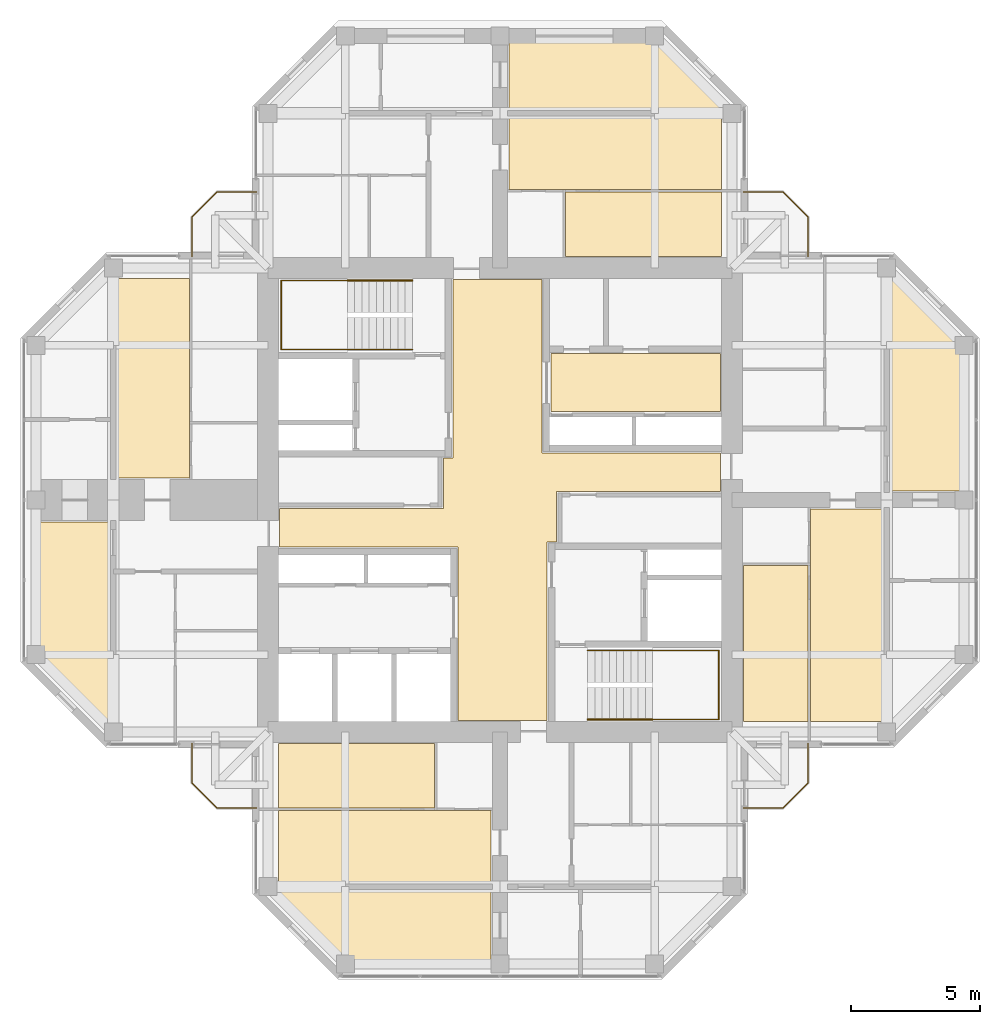
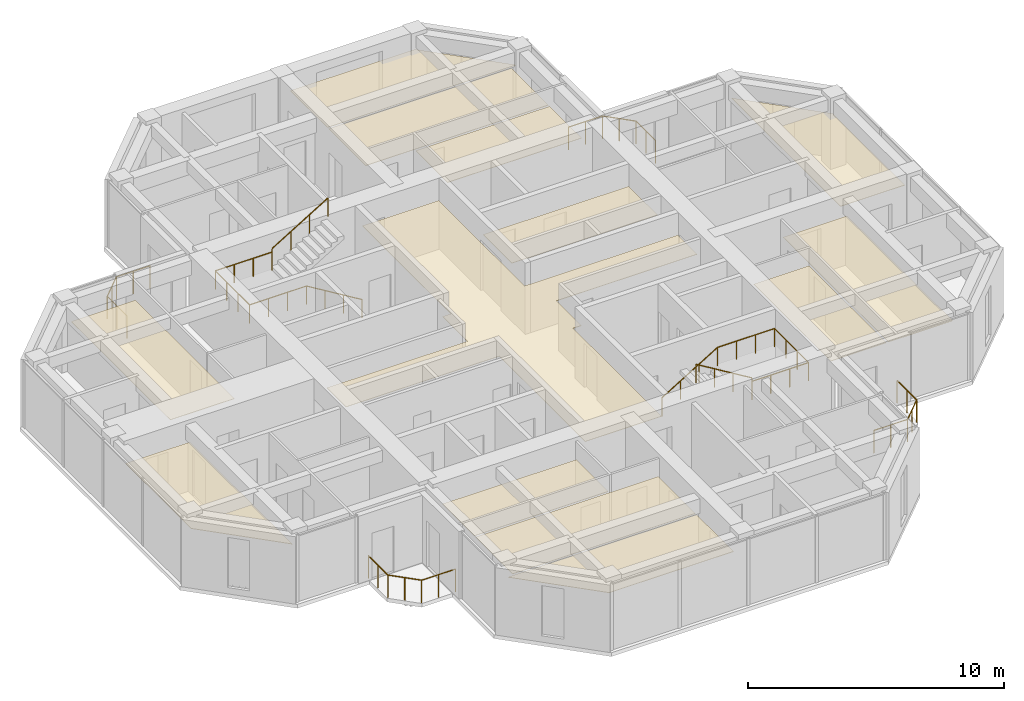
# One storey, part 13 of 13: 13 coverings, 8 railings.
"""IFC4 building model written with IfcOpenShell, lengths in metres."""

from ifc_helpers import new_model, si_unit, direction, frame, origin, origin_2d, place, context, subcontext, project, spatial, polyline, circle, outline, extrude, material, layer, layer_set, constituent, constituent_set, type_object, element, save


model = new_model("IFC4")

# Units and contexts
model_context = context("Model", 3, precision=1e-05, world=origin(), true_north=direction((0.0, 1.0)))
body_context = subcontext(model_context, "Body", "Model", "MODEL_VIEW")
ifc_project = project(units=[si_unit("LENGTHUNIT", "METRE"), si_unit("AREAUNIT", "SQUARE_METRE"), si_unit("VOLUMEUNIT", "CUBIC_METRE"), si_unit("PLANEANGLEUNIT", "RADIAN"), si_unit("MASSUNIT", "GRAM", prefix="KILO")], contexts=[model_context])

# Site, building, storey
site_placement = place(None, origin())
site = spatial("IfcSite", under=ifc_project, at=site_placement, CompositionType="ELEMENT")
building_placement = place(site_placement, origin())
building = spatial("IfcBuilding", under=site, at=building_placement, Name="Torre Cruceta", CompositionType="ELEMENT")
storey_placement = place(building_placement, frame((0.0, 0.0, 261.10009765625)))
storey = spatial("IfcBuildingStorey", under=building, at=storey_placement, Name="L67", CompositionType="ELEMENT", Elevation=261.10009765625)

# Railings
ifc_material_1 = material(Name="Stainless steel 1.4401", Category="steel")
ifc_constituent_1 = constituent(ifc_material_1, Name="Frame")
ifc_material_2 = material(Name="Laminated safety glass", Category="glass")
ifc_constituent_2 = constituent(ifc_material_2, Name="Infill")
ifc_constituent_set = constituent_set(constituents=[ifc_constituent_1, ifc_constituent_2], Name="Stainless steel and laminated glass balustrade")
railing_type_1 = type_object("IfcRailingType", Name="BALCONY BALUSTRADE 1100", PredefinedType="BALUSTRADE", material=ifc_constituent_set)
railing_1_placement = place(storey_placement, frame((-9.449951171875, 11.949951171875, 0.0)))
element("IfcRailing", 1, at=railing_1_placement, inside=storey, type_object=railing_type_1, Name="BL1 balcony balustrade L67 N", PredefinedType="BALUSTRADE", context=body_context, shape_type="SweptSolid", body=[
    extrude(circle(Radius=0.02392578125, at=origin_2d()), frame((0.0, 0.0, 1.076171875), z_axis=(-1.0, 0.0, 0.0), x_axis=(0.0, -1.0, 0.0)), (0.0, 0.0, 1.0), 1.529296875),
    extrude(circle(Radius=0.02392578125, at=origin_2d()), frame((-1.529296875, 0.0, 1.076171875), z_axis=(-0.707106781187, -0.707106781187, 0.0), x_axis=(0.707106781187, -0.707106781187, 0.0)), (0.0, 0.0, 1.0), 1.372802734375),
    extrude(circle(Radius=0.02392578125, at=origin_2d()), frame((-2.5, -0.970703125, 1.076171875), z_axis=(0.0, -1.0, 0.0), x_axis=(1.0, 0.0, 0.0)), (0.0, 0.0, 1.0), 1.529296875),
    extrude(circle(Radius=0.02099609375, at=origin_2d()), origin(), (0.0, 0.0, 1.0), 1.052001953125),
    extrude(circle(Radius=0.02099609375, at=origin_2d()), frame((-0.7646484375, 0.0, 0.0)), (0.0, 0.0, 1.0), 1.052001953125),
    extrude(circle(Radius=0.02099609375, at=origin_2d()), frame((-1.529296875, 0.0, 0.0)), (0.0, 0.0, 1.0), 1.052001953125),
    extrude(circle(Radius=0.02099609375, at=origin_2d()), frame((-2.0146484375, -0.4853515625, 0.0)), (0.0, 0.0, 1.0), 1.052001953125),
    extrude(circle(Radius=0.02099609375, at=origin_2d()), frame((-2.5, -0.970703125, 0.0)), (0.0, 0.0, 1.0), 1.052001953125),
    extrude(circle(Radius=0.02099609375, at=origin_2d()), frame((-2.5, -1.7353515625, 0.0)), (0.0, 0.0, 1.0), 1.052001953125),
    extrude(circle(Radius=0.02099609375, at=origin_2d()), frame((-2.5, -2.5, 0.0)), (0.0, 0.0, 1.0), 1.052001953125),
])
railing_2_placement = place(storey_placement, frame((9.449951171875, 11.949951171875, 0.0)))
element("IfcRailing", 2, at=railing_2_placement, inside=storey, type_object=railing_type_1, Name="BL1 balcony balustrade L67 E", PredefinedType="BALUSTRADE", context=body_context, shape_type="SweptSolid", body=[
    extrude(circle(Radius=0.02392578125, at=origin_2d()), frame((0.0, 0.0, 1.076171875), z_axis=(1.0, 0.0, 0.0), x_axis=(0.0, 1.0, 0.0)), (0.0, 0.0, 1.0), 1.529296875),
    extrude(circle(Radius=0.02392578125, at=origin_2d()), frame((1.529296875, 0.0, 1.076171875), z_axis=(0.707106781187, -0.707106781187, 0.0), x_axis=(0.707106781187, 0.707106781187, 0.0)), (0.0, 0.0, 1.0), 1.372802734375),
    extrude(circle(Radius=0.02392578125, at=origin_2d()), frame((2.5, -0.970703125, 1.076171875), z_axis=(0.0, -1.0, 0.0), x_axis=(1.0, 0.0, 0.0)), (0.0, 0.0, 1.0), 1.529296875),
    extrude(circle(Radius=0.02099609375, at=origin_2d()), origin(), (0.0, 0.0, 1.0), 1.052001953125),
    extrude(circle(Radius=0.02099609375, at=origin_2d()), frame((0.7646484375, 0.0, 0.0)), (0.0, 0.0, 1.0), 1.052001953125),
    extrude(circle(Radius=0.02099609375, at=origin_2d()), frame((1.529296875, 0.0, 0.0)), (0.0, 0.0, 1.0), 1.052001953125),
    extrude(circle(Radius=0.02099609375, at=origin_2d()), frame((2.0146484375, -0.4853515625, 0.0)), (0.0, 0.0, 1.0), 1.052001953125),
    extrude(circle(Radius=0.02099609375, at=origin_2d()), frame((2.5, -0.970703125, 0.0)), (0.0, 0.0, 1.0), 1.052001953125),
    extrude(circle(Radius=0.02099609375, at=origin_2d()), frame((2.5, -1.7353515625, 0.0)), (0.0, 0.0, 1.0), 1.052001953125),
    extrude(circle(Radius=0.02099609375, at=origin_2d()), frame((2.5, -2.5, 0.0)), (0.0, 0.0, 1.0), 1.052001953125),
])
railing_3_placement = place(storey_placement, frame((9.449951171875, -11.949951171875, 0.0)))
element("IfcRailing", 3, at=railing_3_placement, inside=storey, type_object=railing_type_1, Name="BL1 balcony balustrade L67 S", PredefinedType="BALUSTRADE", context=body_context, shape_type="SweptSolid", body=[
    extrude(circle(Radius=0.02392578125, at=origin_2d()), frame((0.0, 0.0, 1.076171875), z_axis=(1.0, 0.0, 0.0), x_axis=(0.0, 1.0, 0.0)), (0.0, 0.0, 1.0), 1.529296875),
    extrude(circle(Radius=0.02392578125, at=origin_2d()), frame((1.529296875, 0.0, 1.076171875), z_axis=(0.707106781187, 0.707106781187, 0.0), x_axis=(-0.707106781187, 0.707106781187, 0.0)), (0.0, 0.0, 1.0), 1.372802734375),
    extrude(circle(Radius=0.02392578125, at=origin_2d()), frame((2.5, 0.970703125, 1.076171875), z_axis=(0.0, 1.0, 0.0), x_axis=(-1.0, 0.0, 0.0)), (0.0, 0.0, 1.0), 1.529296875),
    extrude(circle(Radius=0.02099609375, at=origin_2d()), origin(), (0.0, 0.0, 1.0), 1.052001953125),
    extrude(circle(Radius=0.02099609375, at=origin_2d()), frame((0.7646484375, 0.0, 0.0)), (0.0, 0.0, 1.0), 1.052001953125),
    extrude(circle(Radius=0.02099609375, at=origin_2d()), frame((1.529296875, 0.0, 0.0)), (0.0, 0.0, 1.0), 1.052001953125),
    extrude(circle(Radius=0.02099609375, at=origin_2d()), frame((2.0146484375, 0.4853515625, 0.0)), (0.0, 0.0, 1.0), 1.052001953125),
    extrude(circle(Radius=0.02099609375, at=origin_2d()), frame((2.5, 0.970703125, 0.0)), (0.0, 0.0, 1.0), 1.052001953125),
    extrude(circle(Radius=0.02099609375, at=origin_2d()), frame((2.5, 1.7353515625, 0.0)), (0.0, 0.0, 1.0), 1.052001953125),
    extrude(circle(Radius=0.02099609375, at=origin_2d()), frame((2.5, 2.5, 0.0)), (0.0, 0.0, 1.0), 1.052001953125),
])
railing_4_placement = place(storey_placement, frame((-9.449951171875, -11.949951171875, 0.0)))
element("IfcRailing", 4, at=railing_4_placement, inside=storey, type_object=railing_type_1, Name="BL1 balcony balustrade L67 W", PredefinedType="BALUSTRADE", context=body_context, shape_type="SweptSolid", body=[
    extrude(circle(Radius=0.02392578125, at=origin_2d()), frame((0.0, 0.0, 1.076171875), z_axis=(-1.0, 0.0, 0.0), x_axis=(0.0, -1.0, 0.0)), (0.0, 0.0, 1.0), 1.529296875),
    extrude(circle(Radius=0.02392578125, at=origin_2d()), frame((-1.529296875, 0.0, 1.076171875), z_axis=(-0.707106781187, 0.707106781187, 0.0), x_axis=(-0.707106781187, -0.707106781187, 0.0)), (0.0, 0.0, 1.0), 1.372802734375),
    extrude(circle(Radius=0.02392578125, at=origin_2d()), frame((-2.5, 0.970703125, 1.076171875), z_axis=(0.0, 1.0, 0.0), x_axis=(-1.0, 0.0, 0.0)), (0.0, 0.0, 1.0), 1.529296875),
    extrude(circle(Radius=0.02099609375, at=origin_2d()), origin(), (0.0, 0.0, 1.0), 1.052001953125),
    extrude(circle(Radius=0.02099609375, at=origin_2d()), frame((-0.7646484375, 0.0, 0.0)), (0.0, 0.0, 1.0), 1.052001953125),
    extrude(circle(Radius=0.02099609375, at=origin_2d()), frame((-1.529296875, 0.0, 0.0)), (0.0, 0.0, 1.0), 1.052001953125),
    extrude(circle(Radius=0.02099609375, at=origin_2d()), frame((-2.0146484375, 0.4853515625, 0.0)), (0.0, 0.0, 1.0), 1.052001953125),
    extrude(circle(Radius=0.02099609375, at=origin_2d()), frame((-2.5, 0.970703125, 0.0)), (0.0, 0.0, 1.0), 1.052001953125),
    extrude(circle(Radius=0.02099609375, at=origin_2d()), frame((-2.5, 1.7353515625, 0.0)), (0.0, 0.0, 1.0), 1.052001953125),
    extrude(circle(Radius=0.02099609375, at=origin_2d()), frame((-2.5, 2.5, 0.0)), (0.0, 0.0, 1.0), 1.052001953125),
])
ifc_material_3 = material(Name="Stainless steel 1.4401", Category="steel")
railing_type_2 = type_object("IfcRailingType", Name="HANDRAIL 900", PredefinedType="HANDRAIL", material=ifc_material_3)
railing_5_placement = place(storey_placement, frame((-3.39990234375, 5.8349609375, 0.169921875)))
element("IfcRailing", 5, at=railing_5_placement, inside=storey, type_object=railing_type_2, Name="Handrail HR1 ST1 L67", PredefinedType="HANDRAIL", context=body_context, shape_type="SweptSolid", body=[
    extrude(circle(Radius=0.02392578125, at=origin_2d()), frame((0.0, 0.0, 0.8759765625), z_axis=(-0.85478489116, 0.0, 0.518982456201), x_axis=(0.0, -1.0, 0.0)), (0.0, 0.0, 1.0), 2.9482421875),
    extrude(circle(Radius=0.02392578125, at=origin_2d()), frame((-2.52001953125, 0.0, 2.40576171875), z_axis=(-1.0, 0.0, 0.0), x_axis=(0.0, -1.0, 0.0)), (0.0, 0.0, 1.0), 2.570068359375),
    extrude(circle(Radius=0.02392578125, at=origin_2d()), frame((-5.090087890625, 0.0, 2.40576171875), z_axis=(0.0, 1.0, 0.0), x_axis=(-1.0, 0.0, 0.0)), (0.0, 0.0, 1.0), 2.679931640625),
    extrude(circle(Radius=0.02392578125, at=origin_2d()), frame((-5.090087890625, 2.679931640625, 2.40576171875), z_axis=(1.0, 0.0, 0.0), x_axis=(0.0, 1.0, 0.0)), (0.0, 0.0, 1.0), 2.570068359375),
    extrude(circle(Radius=0.02099609375, at=origin_2d()), origin(), (0.0, 0.0, 1.0), 0.851806640625),
    extrude(circle(Radius=0.02099609375, at=origin_2d()), frame((-0.840087890625, 0.0, 0.510009765625)), (0.0, 0.0, 1.0), 0.851806640625),
    extrude(circle(Radius=0.02099609375, at=origin_2d()), frame((-1.679931640625, 0.0, 1.02001953125)), (0.0, 0.0, 1.0), 0.851806640625),
    extrude(circle(Radius=0.02099609375, at=origin_2d()), frame((-2.52001953125, 0.0, 1.530029296875)), (0.0, 0.0, 1.0), 0.851806640625),
    extrude(circle(Radius=0.02099609375, at=origin_2d()), frame((-3.376708984375, 0.0, 1.530029296875)), (0.0, 0.0, 1.0), 0.851806640625),
    extrude(circle(Radius=0.02099609375, at=origin_2d()), frame((-4.2333984375, 0.0, 1.530029296875)), (0.0, 0.0, 1.0), 0.851806640625),
    extrude(circle(Radius=0.02099609375, at=origin_2d()), frame((-5.090087890625, 0.0, 1.530029296875)), (0.0, 0.0, 1.0), 0.851806640625),
    extrude(circle(Radius=0.02099609375, at=origin_2d()), frame((-5.090087890625, 0.893310546875, 1.530029296875)), (0.0, 0.0, 1.0), 0.851806640625),
    extrude(circle(Radius=0.02099609375, at=origin_2d()), frame((-5.090087890625, 1.78662109375, 1.530029296875)), (0.0, 0.0, 1.0), 0.851806640625),
    extrude(circle(Radius=0.02099609375, at=origin_2d()), frame((-5.090087890625, 2.679931640625, 1.530029296875)), (0.0, 0.0, 1.0), 0.851806640625),
    extrude(circle(Radius=0.02099609375, at=origin_2d()), frame((-4.2333984375, 2.679931640625, 1.530029296875)), (0.0, 0.0, 1.0), 0.851806640625),
    extrude(circle(Radius=0.02099609375, at=origin_2d()), frame((-3.376708984375, 2.679931640625, 1.530029296875)), (0.0, 0.0, 1.0), 0.851806640625),
    extrude(circle(Radius=0.02099609375, at=origin_2d()), frame((-2.52001953125, 2.679931640625, 1.530029296875)), (0.0, 0.0, 1.0), 0.851806640625),
])
railing_6_placement = place(storey_placement, frame((-5.919921875, 8.514892578125, 1.869873046875)))
element("IfcRailing", 6, at=railing_6_placement, inside=storey, type_object=railing_type_2, Name="Handrail HR1 ST1 L67", PredefinedType="HANDRAIL", context=body_context, shape_type="SweptSolid", body=[
    extrude(circle(Radius=0.02392578125, at=origin_2d()), frame((0.0, 0.0, 0.8759765625), z_axis=(0.85478489116, 0.0, 0.518982456201), x_axis=(0.0, 1.0, 0.0)), (0.0, 0.0, 1.0), 2.9482421875),
    extrude(circle(Radius=0.02099609375, at=origin_2d()), origin(), (0.0, 0.0, 1.0), 0.851806640625),
    extrude(circle(Radius=0.02099609375, at=origin_2d()), frame((0.840087890625, 0.0, 0.510009765625)), (0.0, 0.0, 1.0), 0.851806640625),
    extrude(circle(Radius=0.02099609375, at=origin_2d()), frame((1.679931640625, 0.0, 1.02001953125)), (0.0, 0.0, 1.0), 0.851806640625),
    extrude(circle(Radius=0.02099609375, at=origin_2d()), frame((2.52001953125, 0.0, 1.530029296875)), (0.0, 0.0, 1.0), 0.851806640625),
])
railing_7_placement = place(storey_placement, frame((3.39990234375, -5.8349609375, 0.169921875)))
element("IfcRailing", 7, at=railing_7_placement, inside=storey, type_object=railing_type_2, Name="Handrail HR1 ST2 L67", PredefinedType="HANDRAIL", context=body_context, shape_type="SweptSolid", body=[
    extrude(circle(Radius=0.02392578125, at=origin_2d()), frame((0.0, 0.0, 0.8759765625), z_axis=(0.85478489116, 0.0, 0.518982456201), x_axis=(0.0, 1.0, 0.0)), (0.0, 0.0, 1.0), 2.9482421875),
    extrude(circle(Radius=0.02392578125, at=origin_2d()), frame((2.52001953125, 0.0, 2.40576171875), z_axis=(1.0, 0.0, 0.0), x_axis=(0.0, 1.0, 0.0)), (0.0, 0.0, 1.0), 2.570068359375),
    extrude(circle(Radius=0.02392578125, at=origin_2d()), frame((5.090087890625, 0.0, 2.40576171875), z_axis=(0.0, -1.0, 0.0), x_axis=(1.0, 0.0, 0.0)), (0.0, 0.0, 1.0), 2.679931640625),
    extrude(circle(Radius=0.02392578125, at=origin_2d()), frame((5.090087890625, -2.679931640625, 2.40576171875), z_axis=(-1.0, 0.0, 0.0), x_axis=(0.0, -1.0, 0.0)), (0.0, 0.0, 1.0), 2.570068359375),
    extrude(circle(Radius=0.02099609375, at=origin_2d()), origin(), (0.0, 0.0, 1.0), 0.851806640625),
    extrude(circle(Radius=0.02099609375, at=origin_2d()), frame((0.840087890625, 0.0, 0.510009765625)), (0.0, 0.0, 1.0), 0.851806640625),
    extrude(circle(Radius=0.02099609375, at=origin_2d()), frame((1.679931640625, 0.0, 1.02001953125)), (0.0, 0.0, 1.0), 0.851806640625),
    extrude(circle(Radius=0.02099609375, at=origin_2d()), frame((2.52001953125, 0.0, 1.530029296875)), (0.0, 0.0, 1.0), 0.851806640625),
    extrude(circle(Radius=0.02099609375, at=origin_2d()), frame((3.376708984375, 0.0, 1.530029296875)), (0.0, 0.0, 1.0), 0.851806640625),
    extrude(circle(Radius=0.02099609375, at=origin_2d()), frame((4.2333984375, 0.0, 1.530029296875)), (0.0, 0.0, 1.0), 0.851806640625),
    extrude(circle(Radius=0.02099609375, at=origin_2d()), frame((5.090087890625, 0.0, 1.530029296875)), (0.0, 0.0, 1.0), 0.851806640625),
    extrude(circle(Radius=0.02099609375, at=origin_2d()), frame((5.090087890625, -0.893310546875, 1.530029296875)), (0.0, 0.0, 1.0), 0.851806640625),
    extrude(circle(Radius=0.02099609375, at=origin_2d()), frame((5.090087890625, -1.78662109375, 1.530029296875)), (0.0, 0.0, 1.0), 0.851806640625),
    extrude(circle(Radius=0.02099609375, at=origin_2d()), frame((5.090087890625, -2.679931640625, 1.530029296875)), (0.0, 0.0, 1.0), 0.851806640625),
    extrude(circle(Radius=0.02099609375, at=origin_2d()), frame((4.2333984375, -2.679931640625, 1.530029296875)), (0.0, 0.0, 1.0), 0.851806640625),
    extrude(circle(Radius=0.02099609375, at=origin_2d()), frame((3.376708984375, -2.679931640625, 1.530029296875)), (0.0, 0.0, 1.0), 0.851806640625),
    extrude(circle(Radius=0.02099609375, at=origin_2d()), frame((2.52001953125, -2.679931640625, 1.530029296875)), (0.0, 0.0, 1.0), 0.851806640625),
])
railing_8_placement = place(storey_placement, frame((5.919921875, -8.514892578125, 1.869873046875)))
element("IfcRailing", 8, at=railing_8_placement, inside=storey, type_object=railing_type_2, Name="Handrail HR1 ST2 L67", PredefinedType="HANDRAIL", context=body_context, shape_type="SweptSolid", body=[
    extrude(circle(Radius=0.02392578125, at=origin_2d()), frame((0.0, 0.0, 0.8759765625), z_axis=(-0.85478489116, 0.0, 0.518982456201), x_axis=(0.0, -1.0, 0.0)), (0.0, 0.0, 1.0), 2.9482421875),
    extrude(circle(Radius=0.02099609375, at=origin_2d()), origin(), (0.0, 0.0, 1.0), 0.851806640625),
    extrude(circle(Radius=0.02099609375, at=origin_2d()), frame((-0.840087890625, 0.0, 0.510009765625)), (0.0, 0.0, 1.0), 0.851806640625),
    extrude(circle(Radius=0.02099609375, at=origin_2d()), frame((-1.679931640625, 0.0, 1.02001953125)), (0.0, 0.0, 1.0), 0.851806640625),
    extrude(circle(Radius=0.02099609375, at=origin_2d()), frame((-2.52001953125, 0.0, 1.530029296875)), (0.0, 0.0, 1.0), 0.851806640625),
])

# Coverings
ifc_material_4 = material(Name="Mineral fibre ceiling tile", Category="gypsum")
ifc_layer = layer(ifc_material_4, 0.02001953125)
ifc_layer_set = layer_set([ifc_layer], Name="Mineral fibre ceiling tile")
covering_type = type_object("IfcCoveringType", Name="SUSPENDED CEILING 20", PredefinedType="CEILING", material=ifc_layer_set)
covering_1_placement = place(storey_placement, frame((0.0, 0.0, 2.349853515625)))
element("IfcCovering", 9, at=covering_1_placement, inside=storey, type_object=covering_type, Name="Ceiling L67-003", PredefinedType="CEILING", context=body_context, shape_type="SweptSolid", body=[
    extrude(outline(polyline([(1.824951171875, -8.550048828125), (-1.625, -8.550048828125), (-1.625, -1.824951171875), (-8.550048828125, -1.824951171875), (-8.550048828125, -0.324951171875), (-2.199951171875, -0.324951171875), (-2.199951171875, 1.625), (-1.824951171875, 1.625), (-1.824951171875, 8.550048828125), (1.625, 8.550048828125), (1.625, 1.824951171875), (8.550048828125, 1.824951171875), (8.550048828125, 0.324951171875), (2.199951171875, 0.324951171875), (2.199951171875, -1.625), (1.824951171875, -1.625), (1.824951171875, -8.550048828125)])), origin(), (0.0, 0.0, 1.0), 0.02001953125),
])
covering_2_placement = place(storey_placement, frame((0.0, 0.0, 2.349853515625)))
element("IfcCovering", 10, at=covering_2_placement, inside=storey, type_object=covering_type, Name="Ceiling L67-006", PredefinedType="CEILING", context=body_context, shape_type="SweptSolid", body=[
    extrude(outline(polyline([(1.97509765625, 3.425048828125), (1.97509765625, 5.675048828125), (8.550048828125, 5.675048828125), (8.550048828125, 3.425048828125), (1.97509765625, 3.425048828125)])), origin(), (0.0, 0.0, 1.0), 0.02001953125),
])
covering_3_placement = place(storey_placement, frame((0.0, 0.0, 2.349853515625)))
element("IfcCovering", 11, at=covering_3_placement, inside=storey, type_object=covering_type, Name="Ceiling L67-027", PredefinedType="CEILING", context=body_context, shape_type="SweptSolid", body=[
    extrude(outline(polyline([(8.60009765625, 14.949951171875), (8.60009765625, 12.050048828125), (0.35009765625, 12.050048828125), (0.35009765625, 14.949951171875), (8.60009765625, 14.949951171875)])), origin(), (0.0, 0.0, 1.0), 0.02001953125),
])
covering_4_placement = place(storey_placement, frame((0.0, 0.0, 2.349853515625)))
element("IfcCovering", 12, at=covering_4_placement, inside=storey, type_object=covering_type, Name="Ceiling L67-028", PredefinedType="CEILING", context=body_context, shape_type="SweptSolid", body=[
    extrude(outline(polyline([(8.60009765625, 9.449951171875), (2.550048828125, 9.449951171875), (2.550048828125, 11.949951171875), (8.60009765625, 11.949951171875), (8.60009765625, 9.449951171875)])), origin(), (0.0, 0.0, 1.0), 0.02001953125),
])
covering_5_placement = place(storey_placement, frame((0.0, 0.0, 2.349853515625)))
element("IfcCovering", 13, at=covering_5_placement, inside=storey, type_object=covering_type, Name="Ceiling L67-032", PredefinedType="CEILING", context=body_context, shape_type="SweptSolid", body=[
    extrude(outline(polyline([(8.87939453125, 15.050048828125), (0.35009765625, 15.050048828125), (0.35009765625, 17.949951171875), (5.979248046875, 17.949951171875), (8.87939453125, 15.050048828125)])), origin(), (0.0, 0.0, 1.0), 0.02001953125),
])
covering_6_placement = place(storey_placement, frame((0.0, 0.0, 2.349853515625)))
element("IfcCovering", 14, at=covering_6_placement, inside=storey, type_object=covering_type, Name="Ceiling L67-037", PredefinedType="CEILING", context=body_context, shape_type="SweptSolid", body=[
    extrude(outline(polyline([(14.949951171875, -8.60009765625), (12.050048828125, -8.60009765625), (12.050048828125, -0.35009765625), (14.949951171875, -0.35009765625), (14.949951171875, -8.60009765625)])), origin(), (0.0, 0.0, 1.0), 0.02001953125),
])
covering_7_placement = place(storey_placement, frame((0.0, 0.0, 2.349853515625)))
element("IfcCovering", 15, at=covering_7_placement, inside=storey, type_object=covering_type, Name="Ceiling L67-038", PredefinedType="CEILING", context=body_context, shape_type="SweptSolid", body=[
    extrude(outline(polyline([(9.449951171875, -8.60009765625), (9.449951171875, -2.550048828125), (11.949951171875, -2.550048828125), (11.949951171875, -8.60009765625), (9.449951171875, -8.60009765625)])), origin(), (0.0, 0.0, 1.0), 0.02001953125),
])
covering_8_placement = place(storey_placement, frame((0.0, 0.0, 2.349853515625)))
element("IfcCovering", 16, at=covering_8_placement, inside=storey, type_object=covering_type, Name="Ceiling L67-040", PredefinedType="CEILING", context=body_context, shape_type="SweptSolid", body=[
    extrude(outline(polyline([(17.949951171875, 5.979248046875), (17.949951171875, 0.35009765625), (15.050048828125, 0.35009765625), (15.050048828125, 8.87939453125), (17.949951171875, 5.979248046875)])), origin(), (0.0, 0.0, 1.0), 0.02001953125),
])
covering_9_placement = place(storey_placement, frame((0.0, 0.0, 2.349853515625)))
element("IfcCovering", 17, at=covering_9_placement, inside=storey, type_object=covering_type, Name="Ceiling L67-047", PredefinedType="CEILING", context=body_context, shape_type="SweptSolid", body=[
    extrude(outline(polyline([(-8.60009765625, -14.949951171875), (-8.60009765625, -12.050048828125), (-0.35009765625, -12.050048828125), (-0.35009765625, -14.949951171875), (-8.60009765625, -14.949951171875)])), origin(), (0.0, 0.0, 1.0), 0.02001953125),
])
covering_10_placement = place(storey_placement, frame((0.0, 0.0, 2.349853515625)))
element("IfcCovering", 18, at=covering_10_placement, inside=storey, type_object=covering_type, Name="Ceiling L67-048", PredefinedType="CEILING", context=body_context, shape_type="SweptSolid", body=[
    extrude(outline(polyline([(-8.60009765625, -9.449951171875), (-2.550048828125, -9.449951171875), (-2.550048828125, -11.949951171875), (-8.60009765625, -11.949951171875), (-8.60009765625, -9.449951171875)])), origin(), (0.0, 0.0, 1.0), 0.02001953125),
])
covering_11_placement = place(storey_placement, frame((0.0, 0.0, 2.349853515625)))
element("IfcCovering", 19, at=covering_11_placement, inside=storey, type_object=covering_type, Name="Ceiling L67-052", PredefinedType="CEILING", context=body_context, shape_type="SweptSolid", body=[
    extrude(outline(polyline([(-8.87939453125, -15.050048828125), (-0.35009765625, -15.050048828125), (-0.35009765625, -17.949951171875), (-5.979248046875, -17.949951171875), (-8.87939453125, -15.050048828125)])), origin(), (0.0, 0.0, 1.0), 0.02001953125),
])
covering_12_placement = place(storey_placement, frame((0.0, 0.0, 2.349853515625)))
element("IfcCovering", 20, at=covering_12_placement, inside=storey, type_object=covering_type, Name="Ceiling L67-057", PredefinedType="CEILING", context=body_context, shape_type="SweptSolid", body=[
    extrude(outline(polyline([(-14.949951171875, 8.60009765625), (-12.050048828125, 8.60009765625), (-12.050048828125, 0.85009765625), (-14.949951171875, 0.85009765625), (-14.949951171875, 8.60009765625)])), origin(), (0.0, 0.0, 1.0), 0.02001953125),
])
covering_13_placement = place(storey_placement, frame((0.0, 0.0, 2.349853515625)))
element("IfcCovering", 21, at=covering_13_placement, inside=storey, type_object=covering_type, Name="Ceiling L67-060", PredefinedType="CEILING", context=body_context, shape_type="SweptSolid", body=[
    extrude(outline(polyline([(-17.949951171875, -5.979248046875), (-17.949951171875, -0.85009765625), (-15.050048828125, -0.85009765625), (-15.050048828125, -8.87939453125), (-17.949951171875, -5.979248046875)])), origin(), (0.0, 0.0, 1.0), 0.02001953125),
])

save(model, "model.ifc")
